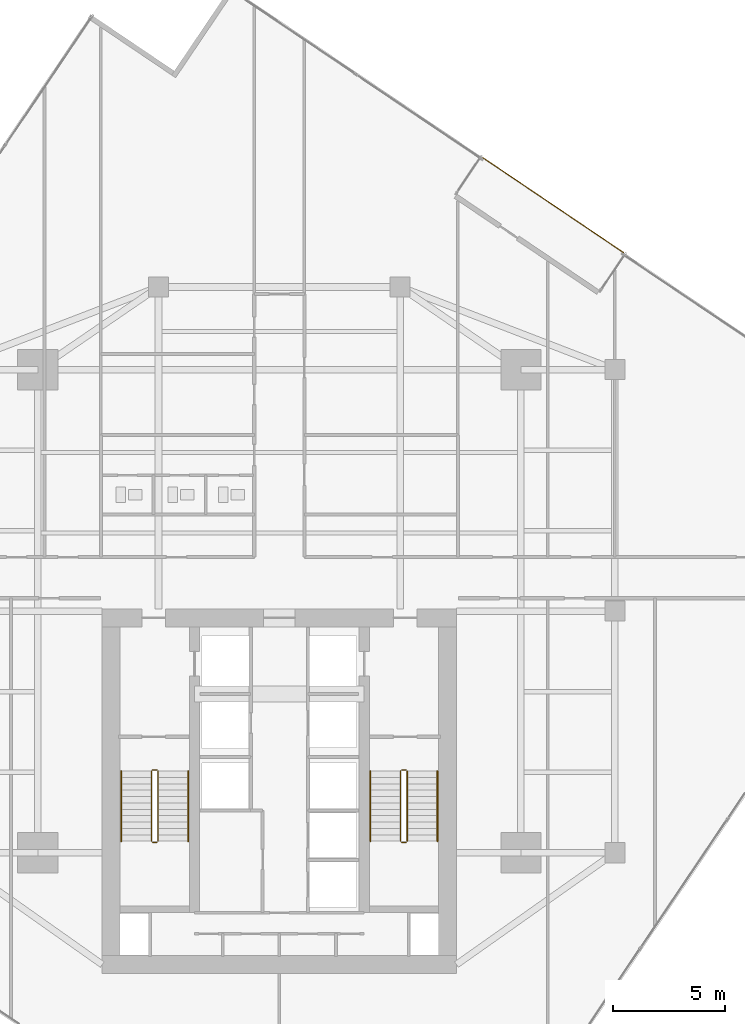
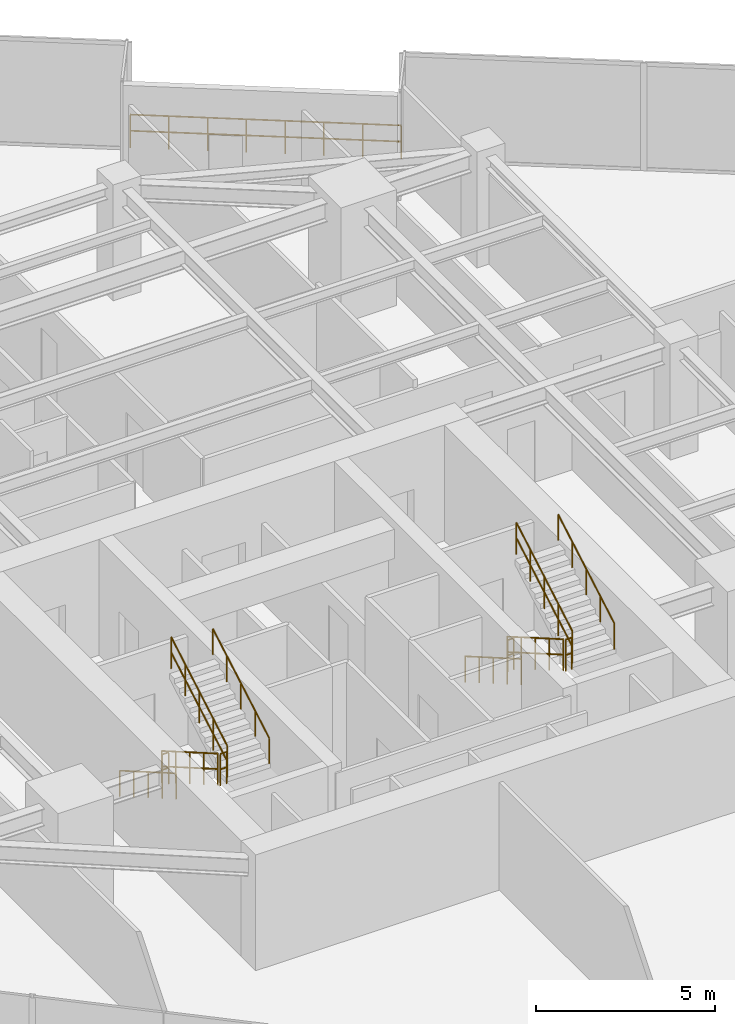
# One storey, part 26 of 27: 13 railings.
"""IFC4 building model written with IfcOpenShell, lengths in metres."""

from ifc_helpers import new_model, si_unit, direction, frame, origin, origin_2d, place, context, subcontext, project, spatial, circle, extrude, material, layer, layer_set, type_object, element, save


model = new_model("IFC4")

# Units and contexts
model_context = context("Model", 3, precision=1e-05, world=origin(), true_north=direction((0.0, 1.0)))
body_context = subcontext(model_context, "Body", "Model", "MODEL_VIEW")
ifc_project = project(units=[si_unit("LENGTHUNIT", "METRE"), si_unit("AREAUNIT", "SQUARE_METRE"), si_unit("VOLUMEUNIT", "CUBIC_METRE"), si_unit("PLANEANGLEUNIT", "RADIAN"), si_unit("MASSUNIT", "GRAM", prefix="KILO")], contexts=[model_context])

# Site, building, storey
site_placement = place(None, origin())
site = spatial("IfcSite", under=ifc_project, at=site_placement, CompositionType="ELEMENT")
building_placement = place(site_placement, origin())
building = spatial("IfcBuilding", under=site, at=building_placement, Name="Krantzveldt Concourse Tower", CompositionType="ELEMENT")
storey_placement = place(building_placement, frame((0.0, 0.0, 189.64990234375)))
storey = spatial("IfcBuildingStorey", under=building, at=storey_placement, Name="L46", CompositionType="ELEMENT", Elevation=189.64990234375)

# Railings
ifc_material = material(Name="Stainless steel 316L", Category="steel")
ifc_layer_1 = layer(ifc_material, 0.080078125, Name="Stainless steel 316L", Category="steel")
ifc_layer_set_1 = layer_set([ifc_layer_1], Name="Stainless steel 316L (RL-BALUSTRADE-1150)")
railing_type_1 = type_object("IfcRailingType", Name="RL-BALUSTRADE-1150", PredefinedType="BALUSTRADE", material=ifc_layer_set_1)
railing_1_placement = place(storey_placement, frame((45.095947265625, 46.98095703125, 0.0)))
element("IfcRailing", 1, at=railing_1_placement, inside=storey, type_object=railing_type_1, Name="GD-L46-CTER-01", PredefinedType="BALUSTRADE", context=body_context, shape_type="SweptSolid", body=[
    extrude(circle(Radius=0.02392578125, at=origin_2d()), frame((0.0, 0.0, 1.1259765625), z_axis=(0.82903334026, -0.559199178055, 0.0), x_axis=(0.559199178055, 0.82903334026, 0.0)), (0.0, 0.0, 1.0), 7.60009765625),
    extrude(circle(Radius=0.02392578125, at=origin_2d()), frame((0.0, 0.0, 0.574951171875), z_axis=(0.82903334026, -0.559199178055, 0.0), x_axis=(0.559199178055, 0.82903334026, 0.0)), (0.0, 0.0, 1.0), 7.60009765625),
    extrude(circle(Radius=0.02099609375, at=origin_2d()), origin(), (0.0, 0.0, 1.0), 1.101806640625),
    extrude(circle(Radius=0.02099609375, at=origin_2d()), frame((0.900146484375, -0.607177734375, 0.0)), (0.0, 0.0, 1.0), 1.101806640625),
    extrude(circle(Radius=0.02099609375, at=origin_2d()), frame((1.80029296875, -1.21435546875, 0.0)), (0.0, 0.0, 1.0), 1.101806640625),
    extrude(circle(Radius=0.02099609375, at=origin_2d()), frame((2.700439453125, -1.821533203125, 0.0)), (0.0, 0.0, 1.0), 1.101806640625),
    extrude(circle(Radius=0.02099609375, at=origin_2d()), frame((3.600341796875, -2.428466796875, 0.0)), (0.0, 0.0, 1.0), 1.101806640625),
    extrude(circle(Radius=0.02099609375, at=origin_2d()), frame((4.50048828125, -3.03564453125, 0.0)), (0.0, 0.0, 1.0), 1.101806640625),
    extrude(circle(Radius=0.02099609375, at=origin_2d()), frame((5.400634765625, -3.642822265625, 0.0)), (0.0, 0.0, 1.0), 1.101806640625),
    extrude(circle(Radius=0.02099609375, at=origin_2d()), frame((6.30078125, -4.25, 0.0)), (0.0, 0.0, 1.0), 1.101806640625),
])
ifc_layer_2 = layer(ifc_material, 0.06005859375, Name="Stainless steel 316L", Category="steel")
ifc_layer_set_2 = layer_set([ifc_layer_2], Name="Stainless steel 316L (RL-GUARD-1120)")
railing_type_2 = type_object("IfcRailingType", Name="RL-GUARD-1120", PredefinedType="GUARDRAIL", material=ifc_layer_set_2)
railing_2_placement = place(storey_placement, frame((30.280029296875, 19.550048828125, 0.164794921875)))
element("IfcRailing", 2, at=railing_2_placement, inside=storey, type_object=railing_type_2, Name="L46 ST-1 stair guard 1", PredefinedType="GUARDRAIL", context=body_context, shape_type="SweptSolid", body=[
    extrude(circle(Radius=0.02392578125, at=origin_2d()), frame((0.0, 0.0, 1.076171875), z_axis=(0.0, -0.865989039225, 0.500062979975), x_axis=(1.0, 0.0, 0.0)), (0.0, 0.0, 1.0), 3.6201171875),
    extrude(circle(Radius=0.02392578125, at=origin_2d()), frame((0.0, 0.0, 0.550048828125), z_axis=(0.0, -0.865989039225, 0.500062979975), x_axis=(1.0, 0.0, 0.0)), (0.0, 0.0, 1.0), 3.6201171875),
    extrude(circle(Radius=0.02099609375, at=origin_2d()), origin(), (0.0, 0.0, 1.0), 1.052001953125),
    extrude(circle(Radius=0.02099609375, at=origin_2d()), frame((0.0, -0.78369140625, 0.45263671875)), (0.0, 0.0, 1.0), 1.052001953125),
    extrude(circle(Radius=0.02099609375, at=origin_2d()), frame((0.0, -1.5673828125, 0.9052734375)), (0.0, 0.0, 1.0), 1.052001953125),
    extrude(circle(Radius=0.02099609375, at=origin_2d()), frame((0.0, -2.351318359375, 1.357666015625)), (0.0, 0.0, 1.0), 1.052001953125),
    extrude(circle(Radius=0.02099609375, at=origin_2d()), frame((0.0, -3.135009765625, 1.810302734375)), (0.0, 0.0, 1.0), 1.052001953125),
])
railing_3_placement = place(storey_placement, frame((30.330078125, 16.364990234375, 1.97509765625)))
element("IfcRailing", 3, at=railing_3_placement, inside=storey, type_object=railing_type_2, Name="L46 ST-1 stair guard 2", PredefinedType="GUARDRAIL", context=body_context, shape_type="SweptSolid", body=[
    extrude(circle(Radius=0.02392578125, at=origin_2d()), frame((0.0, 0.0, 1.076171875), z_axis=(1.0, 0.0, 0.0), x_axis=(0.0, 1.0, 0.0)), (0.0, 0.0, 1.0), 0.199951171875),
    extrude(circle(Radius=0.02392578125, at=origin_2d()), frame((0.0, 0.0, 0.550048828125), z_axis=(1.0, 0.0, 0.0), x_axis=(0.0, 1.0, 0.0)), (0.0, 0.0, 1.0), 0.199951171875),
    extrude(circle(Radius=0.02099609375, at=origin_2d()), origin(), (0.0, 0.0, 1.0), 1.052001953125),
    extrude(circle(Radius=0.02099609375, at=origin_2d()), frame((0.199951171875, 0.0, 0.0)), (0.0, 0.0, 1.0), 1.052001953125),
])
railing_4_placement = place(storey_placement, frame((30.580078125, 16.4150390625, 2.1396484375)))
element("IfcRailing", 4, at=railing_4_placement, inside=storey, type_object=railing_type_2, Name="L46 ST-1 stair guard 3", PredefinedType="GUARDRAIL", context=body_context, shape_type="SweptSolid", body=[
    extrude(circle(Radius=0.02392578125, at=origin_2d()), frame((0.0, 0.0, 1.076171875), z_axis=(0.0, 0.865959834175, 0.500113552702), x_axis=(-1.0, 0.0, 0.0)), (0.0, 0.0, 1.0), 3.620361328125),
    extrude(circle(Radius=0.02392578125, at=origin_2d()), frame((0.0, 0.0, 0.550048828125), z_axis=(0.0, 0.865959834175, 0.500113552702), x_axis=(-1.0, 0.0, 0.0)), (0.0, 0.0, 1.0), 3.620361328125),
    extrude(circle(Radius=0.02099609375, at=origin_2d()), origin(), (0.0, 0.0, 1.0), 1.052001953125),
    extrude(circle(Radius=0.02099609375, at=origin_2d()), frame((0.0, 0.78369140625, 0.45263671875)), (0.0, 0.0, 1.0), 1.052001953125),
    extrude(circle(Radius=0.02099609375, at=origin_2d()), frame((0.0, 1.5673828125, 0.9052734375)), (0.0, 0.0, 1.0), 1.052001953125),
    extrude(circle(Radius=0.02099609375, at=origin_2d()), frame((0.0, 2.351318359375, 1.35791015625)), (0.0, 0.0, 1.0), 1.052001953125),
    extrude(circle(Radius=0.02099609375, at=origin_2d()), frame((0.0, 3.135009765625, 1.810546875)), (0.0, 0.0, 1.0), 1.052001953125),
])
railing_5_placement = place(storey_placement, frame((30.330078125, 19.60009765625, 0.0)))
element("IfcRailing", 5, at=railing_5_placement, inside=storey, type_object=railing_type_2, Name="L46 ST-1 stair guard 4", PredefinedType="GUARDRAIL", context=body_context, shape_type="SweptSolid", body=[
    extrude(circle(Radius=0.02392578125, at=origin_2d()), frame((0.0, 0.0, 1.076171875), z_axis=(1.0, 0.0, 0.0), x_axis=(0.0, 1.0, 0.0)), (0.0, 0.0, 1.0), 0.199951171875),
    extrude(circle(Radius=0.02392578125, at=origin_2d()), frame((0.0, 0.0, 0.550048828125), z_axis=(1.0, 0.0, 0.0), x_axis=(0.0, 1.0, 0.0)), (0.0, 0.0, 1.0), 0.199951171875),
    extrude(circle(Radius=0.02099609375, at=origin_2d()), origin(), (0.0, 0.0, 1.0), 1.052001953125),
    extrude(circle(Radius=0.02099609375, at=origin_2d()), frame((0.199951171875, 0.0, 0.0)), (0.0, 0.0, 1.0), 1.052001953125),
])
railing_6_placement = place(storey_placement, frame((41.419921875, 19.550048828125, 0.164794921875)))
element("IfcRailing", 6, at=railing_6_placement, inside=storey, type_object=railing_type_2, Name="L46 ST-2 stair guard 1", PredefinedType="GUARDRAIL", context=body_context, shape_type="SweptSolid", body=[
    extrude(circle(Radius=0.02392578125, at=origin_2d()), frame((0.0, 0.0, 1.076171875), z_axis=(0.0, -0.865989039225, 0.500062979975), x_axis=(1.0, 0.0, 0.0)), (0.0, 0.0, 1.0), 3.6201171875),
    extrude(circle(Radius=0.02392578125, at=origin_2d()), frame((0.0, 0.0, 0.550048828125), z_axis=(0.0, -0.865989039225, 0.500062979975), x_axis=(1.0, 0.0, 0.0)), (0.0, 0.0, 1.0), 3.6201171875),
    extrude(circle(Radius=0.02099609375, at=origin_2d()), origin(), (0.0, 0.0, 1.0), 1.052001953125),
    extrude(circle(Radius=0.02099609375, at=origin_2d()), frame((0.0, -0.78369140625, 0.45263671875)), (0.0, 0.0, 1.0), 1.052001953125),
    extrude(circle(Radius=0.02099609375, at=origin_2d()), frame((0.0, -1.5673828125, 0.9052734375)), (0.0, 0.0, 1.0), 1.052001953125),
    extrude(circle(Radius=0.02099609375, at=origin_2d()), frame((0.0, -2.351318359375, 1.357666015625)), (0.0, 0.0, 1.0), 1.052001953125),
    extrude(circle(Radius=0.02099609375, at=origin_2d()), frame((0.0, -3.135009765625, 1.810302734375)), (0.0, 0.0, 1.0), 1.052001953125),
])
railing_7_placement = place(storey_placement, frame((41.469970703125, 16.364990234375, 1.97509765625)))
element("IfcRailing", 7, at=railing_7_placement, inside=storey, type_object=railing_type_2, Name="L46 ST-2 stair guard 2", PredefinedType="GUARDRAIL", context=body_context, shape_type="SweptSolid", body=[
    extrude(circle(Radius=0.02392578125, at=origin_2d()), frame((0.0, 0.0, 1.076171875), z_axis=(1.0, 0.0, 0.0), x_axis=(0.0, 1.0, 0.0)), (0.0, 0.0, 1.0), 0.199951171875),
    extrude(circle(Radius=0.02392578125, at=origin_2d()), frame((0.0, 0.0, 0.550048828125), z_axis=(1.0, 0.0, 0.0), x_axis=(0.0, 1.0, 0.0)), (0.0, 0.0, 1.0), 0.199951171875),
    extrude(circle(Radius=0.02099609375, at=origin_2d()), origin(), (0.0, 0.0, 1.0), 1.052001953125),
    extrude(circle(Radius=0.02099609375, at=origin_2d()), frame((0.199951171875, 0.0, 0.0)), (0.0, 0.0, 1.0), 1.052001953125),
])
railing_8_placement = place(storey_placement, frame((41.719970703125, 16.4150390625, 2.1396484375)))
element("IfcRailing", 8, at=railing_8_placement, inside=storey, type_object=railing_type_2, Name="L46 ST-2 stair guard 3", PredefinedType="GUARDRAIL", context=body_context, shape_type="SweptSolid", body=[
    extrude(circle(Radius=0.02392578125, at=origin_2d()), frame((0.0, 0.0, 1.076171875), z_axis=(0.0, 0.865959834175, 0.500113552702), x_axis=(-1.0, 0.0, 0.0)), (0.0, 0.0, 1.0), 3.620361328125),
    extrude(circle(Radius=0.02392578125, at=origin_2d()), frame((0.0, 0.0, 0.550048828125), z_axis=(0.0, 0.865959834175, 0.500113552702), x_axis=(-1.0, 0.0, 0.0)), (0.0, 0.0, 1.0), 3.620361328125),
    extrude(circle(Radius=0.02099609375, at=origin_2d()), origin(), (0.0, 0.0, 1.0), 1.052001953125),
    extrude(circle(Radius=0.02099609375, at=origin_2d()), frame((0.0, 0.78369140625, 0.45263671875)), (0.0, 0.0, 1.0), 1.052001953125),
    extrude(circle(Radius=0.02099609375, at=origin_2d()), frame((0.0, 1.5673828125, 0.9052734375)), (0.0, 0.0, 1.0), 1.052001953125),
    extrude(circle(Radius=0.02099609375, at=origin_2d()), frame((0.0, 2.351318359375, 1.35791015625)), (0.0, 0.0, 1.0), 1.052001953125),
    extrude(circle(Radius=0.02099609375, at=origin_2d()), frame((0.0, 3.135009765625, 1.810546875)), (0.0, 0.0, 1.0), 1.052001953125),
])
railing_9_placement = place(storey_placement, frame((41.469970703125, 19.60009765625, 0.0)))
element("IfcRailing", 9, at=railing_9_placement, inside=storey, type_object=railing_type_2, Name="L46 ST-2 stair guard 4", PredefinedType="GUARDRAIL", context=body_context, shape_type="SweptSolid", body=[
    extrude(circle(Radius=0.02392578125, at=origin_2d()), frame((0.0, 0.0, 1.076171875), z_axis=(1.0, 0.0, 0.0), x_axis=(0.0, 1.0, 0.0)), (0.0, 0.0, 1.0), 0.199951171875),
    extrude(circle(Radius=0.02392578125, at=origin_2d()), frame((0.0, 0.0, 0.550048828125), z_axis=(1.0, 0.0, 0.0), x_axis=(0.0, 1.0, 0.0)), (0.0, 0.0, 1.0), 0.199951171875),
    extrude(circle(Radius=0.02099609375, at=origin_2d()), origin(), (0.0, 0.0, 1.0), 1.052001953125),
    extrude(circle(Radius=0.02099609375, at=origin_2d()), frame((0.199951171875, 0.0, 0.0)), (0.0, 0.0, 1.0), 1.052001953125),
])
ifc_layer_3 = layer(ifc_material, 0.050048828125, Name="Stainless steel 316L", Category="steel")
ifc_layer_set_3 = layer_set([ifc_layer_3], Name="Stainless steel 316L (RL-HANDRAIL-920)")
railing_type_3 = type_object("IfcRailingType", Name="RL-HANDRAIL-920", PredefinedType="HANDRAIL", material=ifc_layer_set_3)
railing_10_placement = place(storey_placement, frame((28.929931640625, 19.550048828125, 0.164794921875)))
element("IfcRailing", 10, at=railing_10_placement, inside=storey, type_object=railing_type_3, Name="L46 ST-1 stair handrail 1", PredefinedType="HANDRAIL", context=body_context, shape_type="SweptSolid", body=[
    extrude(circle(Radius=0.02392578125, at=origin_2d()), frame((0.0, 0.0, 0.8759765625), z_axis=(0.0, -0.865989039225, 0.500062979975), x_axis=(1.0, 0.0, 0.0)), (0.0, 0.0, 1.0), 3.6201171875),
    extrude(circle(Radius=0.02099609375, at=origin_2d()), origin(), (0.0, 0.0, 1.0), 0.851806640625),
    extrude(circle(Radius=0.02099609375, at=origin_2d()), frame((0.0, -0.78369140625, 0.45263671875)), (0.0, 0.0, 1.0), 0.851806640625),
    extrude(circle(Radius=0.02099609375, at=origin_2d()), frame((0.0, -1.5673828125, 0.9052734375)), (0.0, 0.0, 1.0), 0.851806640625),
    extrude(circle(Radius=0.02099609375, at=origin_2d()), frame((0.0, -2.351318359375, 1.357666015625)), (0.0, 0.0, 1.0), 0.851806640625),
    extrude(circle(Radius=0.02099609375, at=origin_2d()), frame((0.0, -3.135009765625, 1.810302734375)), (0.0, 0.0, 1.0), 0.851806640625),
])
railing_11_placement = place(storey_placement, frame((31.929931640625, 16.4150390625, 2.1396484375)))
element("IfcRailing", 11, at=railing_11_placement, inside=storey, type_object=railing_type_3, Name="L46 ST-1 stair handrail 2", PredefinedType="HANDRAIL", context=body_context, shape_type="SweptSolid", body=[
    extrude(circle(Radius=0.02392578125, at=origin_2d()), frame((0.0, 0.0, 0.8759765625), z_axis=(0.0, 0.865959834175, 0.500113552702), x_axis=(-1.0, 0.0, 0.0)), (0.0, 0.0, 1.0), 3.620361328125),
    extrude(circle(Radius=0.02099609375, at=origin_2d()), origin(), (0.0, 0.0, 1.0), 0.851806640625),
    extrude(circle(Radius=0.02099609375, at=origin_2d()), frame((0.0, 0.78369140625, 0.45263671875)), (0.0, 0.0, 1.0), 0.851806640625),
    extrude(circle(Radius=0.02099609375, at=origin_2d()), frame((0.0, 1.5673828125, 0.9052734375)), (0.0, 0.0, 1.0), 0.851806640625),
    extrude(circle(Radius=0.02099609375, at=origin_2d()), frame((0.0, 2.351318359375, 1.35791015625)), (0.0, 0.0, 1.0), 0.851806640625),
    extrude(circle(Radius=0.02099609375, at=origin_2d()), frame((0.0, 3.135009765625, 1.810546875)), (0.0, 0.0, 1.0), 0.851806640625),
])
railing_12_placement = place(storey_placement, frame((40.070068359375, 19.550048828125, 0.164794921875)))
element("IfcRailing", 12, at=railing_12_placement, inside=storey, type_object=railing_type_3, Name="L46 ST-2 stair handrail 1", PredefinedType="HANDRAIL", context=body_context, shape_type="SweptSolid", body=[
    extrude(circle(Radius=0.02392578125, at=origin_2d()), frame((0.0, 0.0, 0.8759765625), z_axis=(0.0, -0.865989039225, 0.500062979975), x_axis=(1.0, 0.0, 0.0)), (0.0, 0.0, 1.0), 3.6201171875),
    extrude(circle(Radius=0.02099609375, at=origin_2d()), origin(), (0.0, 0.0, 1.0), 0.851806640625),
    extrude(circle(Radius=0.02099609375, at=origin_2d()), frame((0.0, -0.78369140625, 0.45263671875)), (0.0, 0.0, 1.0), 0.851806640625),
    extrude(circle(Radius=0.02099609375, at=origin_2d()), frame((0.0, -1.5673828125, 0.9052734375)), (0.0, 0.0, 1.0), 0.851806640625),
    extrude(circle(Radius=0.02099609375, at=origin_2d()), frame((0.0, -2.351318359375, 1.357666015625)), (0.0, 0.0, 1.0), 0.851806640625),
    extrude(circle(Radius=0.02099609375, at=origin_2d()), frame((0.0, -3.135009765625, 1.810302734375)), (0.0, 0.0, 1.0), 0.851806640625),
])
railing_13_placement = place(storey_placement, frame((43.070068359375, 16.4150390625, 2.1396484375)))
element("IfcRailing", 13, at=railing_13_placement, inside=storey, type_object=railing_type_3, Name="L46 ST-2 stair handrail 2", PredefinedType="HANDRAIL", context=body_context, shape_type="SweptSolid", body=[
    extrude(circle(Radius=0.02392578125, at=origin_2d()), frame((0.0, 0.0, 0.8759765625), z_axis=(0.0, 0.865959834175, 0.500113552702), x_axis=(-1.0, 0.0, 0.0)), (0.0, 0.0, 1.0), 3.620361328125),
    extrude(circle(Radius=0.02099609375, at=origin_2d()), origin(), (0.0, 0.0, 1.0), 0.851806640625),
    extrude(circle(Radius=0.02099609375, at=origin_2d()), frame((0.0, 0.78369140625, 0.45263671875)), (0.0, 0.0, 1.0), 0.851806640625),
    extrude(circle(Radius=0.02099609375, at=origin_2d()), frame((0.0, 1.5673828125, 0.9052734375)), (0.0, 0.0, 1.0), 0.851806640625),
    extrude(circle(Radius=0.02099609375, at=origin_2d()), frame((0.0, 2.351318359375, 1.35791015625)), (0.0, 0.0, 1.0), 0.851806640625),
    extrude(circle(Radius=0.02099609375, at=origin_2d()), frame((0.0, 3.135009765625, 1.810546875)), (0.0, 0.0, 1.0), 0.851806640625),
])

save(model, "model.ifc")
